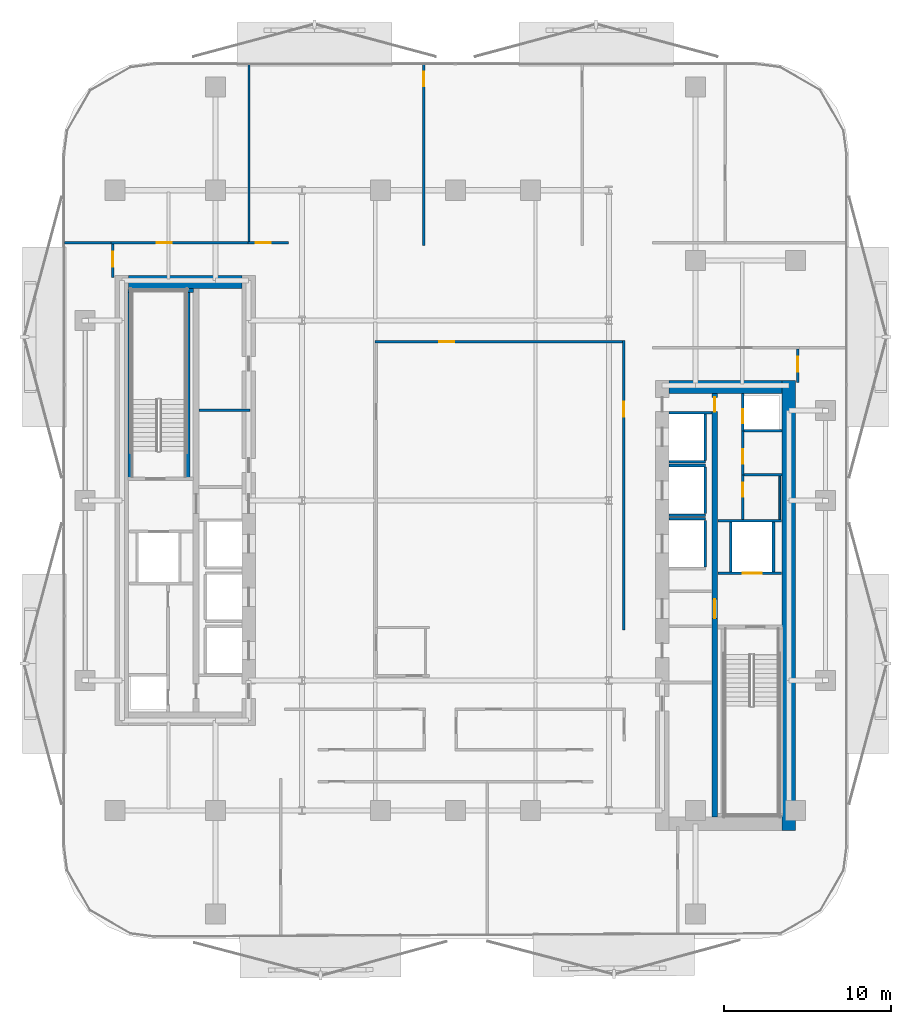
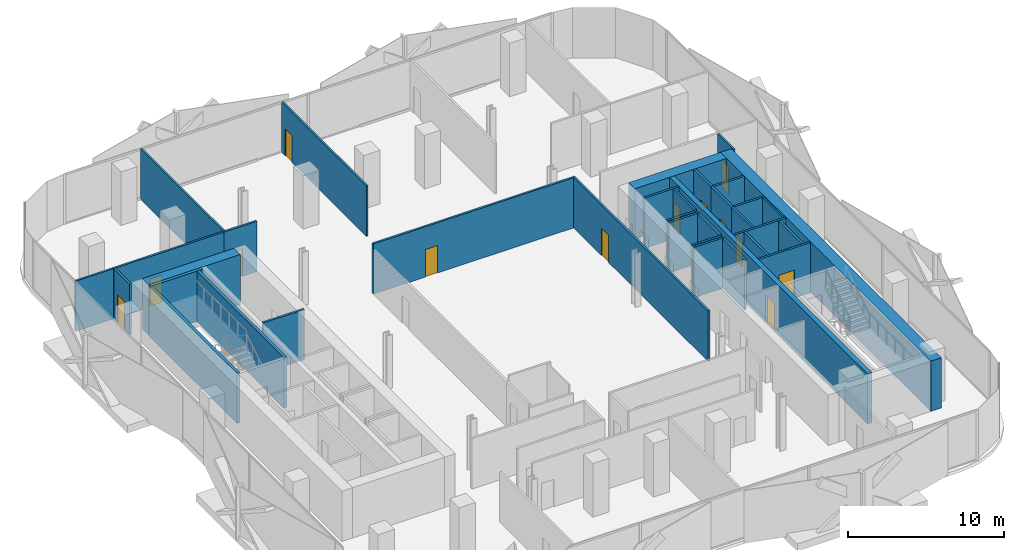
# One storey, part 5 of 15: 35 walls, 13 doors, 13 openings.
"""IFC4 building model written with IfcOpenShell, lengths in metres."""

from ifc_helpers import new_model, si_unit, direction, frame, frame_2d, origin, place, context, subcontext, project, spatial, rectangle, extrude, material, layer, layer_set, type_object, element, fill, save


model = new_model("IFC4")

# Units and contexts
model_context = context("Model", 3, precision=1e-05, world=origin(), true_north=direction((0.0, 1.0)))
body_context = subcontext(model_context, "Body", "Model", "MODEL_VIEW")
ifc_project = project(units=[si_unit("LENGTHUNIT", "METRE"), si_unit("AREAUNIT", "SQUARE_METRE"), si_unit("VOLUMEUNIT", "CUBIC_METRE"), si_unit("PLANEANGLEUNIT", "RADIAN"), si_unit("MASSUNIT", "GRAM", prefix="KILO")], contexts=[model_context])

# Site, building, storey
site_placement = place(None, origin())
site = spatial("IfcSite", under=ifc_project, at=site_placement, CompositionType="ELEMENT")
building_placement = place(site_placement, origin())
building = spatial("IfcBuilding", under=site, at=building_placement, Name="Khairoan Windgate Tower", CompositionType="ELEMENT")
storey_placement = place(building_placement, frame((0.0, 0.0, 122.60009765625)))
storey = spatial("IfcBuildingStorey", under=building, at=storey_placement, Name="L28", CompositionType="ELEMENT", Elevation=122.60009765625)

# Walls
ifc_material_1 = material(Name="Moisture-Resistant Gypsum Partition", Category="gypsum")
ifc_layer_1 = layer(ifc_material_1, 0.10009765625, Name="Moisture-Resistant Gypsum Partition")
ifc_layer_set_1 = layer_set([ifc_layer_1], Name="Moisture-Resistant Gypsum Partition")
wall_type_1 = type_object("IfcWallType", Name="Bathroom Wet-Area Partition Wall", PredefinedType="PARTITIONING", material=ifc_layer_set_1)
wall_1_placement = place(storey_placement, frame((19.449951171875, 1.449951171875, 0.0), z_axis=(0.0, 0.0, 1.0), x_axis=(0.0, -1.0, 0.0)))
element("IfcWall", 1, at=wall_1_placement, inside=storey, type_object=wall_type_1, Name="L28 Wet Room Side Wall 042", PredefinedType="PARTITIONING", context=body_context, shape_type="SweptSolid", body=[
    extrude(rectangle(XDim=2.58984375, YDim=0.10009765625, at=frame_2d((1.294921875, 0.0))), origin(), (0.0, 0.0, 1.0), 3.93994140625),
])
ifc_material_2 = material(Name="Concrete C40/50", Category="concrete")
ifc_layer_2 = layer(ifc_material_2, 0.159912109375, Name="Concrete C40/50")
ifc_layer_set_2 = layer_set([ifc_layer_2], Name="Concrete C40/50")
wall_type_2 = type_object("IfcWallType", Name="Core and Hoistway Enclosure Wall", PredefinedType="STANDARD", material=ifc_layer_set_2)
wall_2_placement = place(storey_placement, frame((12.800048828125, 2.31005859375, 0.0), z_axis=(0.0, 0.0, 1.0), x_axis=(1.0, 0.0, 0.0)))
element("IfcWall", 2, at=wall_2_placement, inside=storey, type_object=wall_type_2, Name="L28 Lift PL7 Hoistway Divider S", PredefinedType="STANDARD", context=body_context, shape_type="SweptSolid", body=[
    extrude(rectangle(XDim=2.18994140625, YDim=0.159912109375, at=frame_2d((1.094970703125, 0.0))), origin(), (0.0, 0.0, 1.0), 3.93994140625),
])
wall_3_placement = place(storey_placement, frame((14.989990234375, 2.39990234375, 0.0), z_axis=(0.0, 0.0, 1.0), x_axis=(0.0, 1.0, 0.0)))
element("IfcWall", 3, at=wall_3_placement, inside=storey, type_object=wall_type_2, Name="L28 Lift PL7 Hoistway Back Wall", PredefinedType="STANDARD", context=body_context, shape_type="SweptSolid", body=[
    extrude(rectangle(XDim=2.800048828125, YDim=0.159912109375, at=frame_2d((1.39990234375, 0.0))), origin(), (0.0, 0.0, 1.0), 3.93994140625),
])
for number, where, z_axis, x_axis, name in (
    (4, (12.800048828125, -0.889892578125, 0.0), (0.0, 0.0, 1.0), (1.0, 0.0, 0.0), "L28 Lift PL8 Hoistway Divider S"),
    (5, (12.800048828125, 2.090087890625, 0.0), (0.0, 0.0, 1.0), (1.0, 0.0, 0.0), "L28 Lift PL8 Hoistway Divider N"),
):
    element("IfcWall", number, at=place(storey_placement, frame(where, z_axis=z_axis, x_axis=x_axis)), inside=storey, type_object=wall_type_2, Name=name, PredefinedType="STANDARD", context=body_context, shape_type="SweptSolid", body=[
        extrude(rectangle(XDim=2.18994140625, YDim=0.159912109375, at=frame_2d((1.094970703125, 0.0))), origin(), (0.0, 0.0, 1.0), 3.93994140625),
    ])
wall_4_placement = place(storey_placement, frame((14.989990234375, -0.800048828125, 0.0), z_axis=(0.0, 0.0, 1.0), x_axis=(0.0, 1.0, 0.0)))
element("IfcWall", 6, at=wall_4_placement, inside=storey, type_object=wall_type_2, Name="L28 Lift PL8 Hoistway Back Wall", PredefinedType="STANDARD", context=body_context, shape_type="SweptSolid", body=[
    extrude(rectangle(XDim=2.800048828125, YDim=0.159912109375, at=frame_2d((1.39990234375, 0.0))), origin(), (0.0, 0.0, 1.0), 3.93994140625),
])
wall_5_placement = place(storey_placement, frame((12.800048828125, -1.110107421875, 0.0), z_axis=(0.0, 0.0, 1.0), x_axis=(1.0, 0.0, 0.0)))
element("IfcWall", 7, at=wall_5_placement, inside=storey, type_object=wall_type_2, Name="L28 Lift PL9 Hoistway Divider N", PredefinedType="STANDARD", context=body_context, shape_type="SweptSolid", body=[
    extrude(rectangle(XDim=2.18994140625, YDim=0.159912109375, at=frame_2d((1.094970703125, 0.0))), origin(), (0.0, 0.0, 1.0), 3.93994140625),
])
wall_6_placement = place(storey_placement, frame((14.989990234375, -4.0, 0.0), z_axis=(0.0, 0.0, 1.0), x_axis=(0.0, 1.0, 0.0)))
element("IfcWall", 8, at=wall_6_placement, inside=storey, type_object=wall_type_2, Name="L28 Lift PL9 Hoistway Back Wall", PredefinedType="STANDARD", context=body_context, shape_type="SweptSolid", body=[
    extrude(rectangle(XDim=2.800048828125, YDim=0.159912109375, at=frame_2d((1.39990234375, 0.0))), origin(), (0.0, 0.0, 1.0), 3.93994140625),
])

# Wall, opening, door
wall_7_placement = place(storey_placement, frame((15.75, -4.360107421875, 0.0), z_axis=(0.0, 0.0, 1.0), x_axis=(1.0, 0.0, 0.0)))
wall_7 = element("IfcWall", 9, at=wall_7_placement, inside=storey, type_object=wall_type_2, Name="L28 Core Shaft Wall SW-FL1-L28", PredefinedType="STANDARD", context=body_context, shape_type="SweptSolid", body=[
    extrude(rectangle(XDim=3.800048828125, YDim=0.159912109375, at=frame_2d((1.89990234375, 0.0))), origin(), (0.0, 0.0, 1.0), 3.93994140625),
])
opening_1_placement = place(wall_7_placement, frame((1.469970703125, 0.0, 0.0)))
opening_1 = element("IfcOpeningElement", 10, at=opening_1_placement, cuts=wall_7, Name="Opening LD-FL", PredefinedType="OPENING", context=body_context, shape_type="SweptSolid", body=[
    extrude(rectangle(XDim=1.14990234375, YDim=2.199951171875, at=frame_2d((0.574951171875, 1.10009765625))), frame((0.0, 0.08984375, 0.0), z_axis=(0.0, -1.0, 0.0), x_axis=(1.0, 0.0, 0.0)), (0.0, 0.0, 1.0), 0.179931640625),
])
ifc_material_3 = material(Name="Steel S355", Category="steel")
door_type_1 = type_object("IfcDoorType", Name="Firefighting Lift Sliding Landing Door LD-FL 1150x2200", OperationType="DOUBLE_DOOR_SLIDING", PredefinedType="DOOR", material=ifc_material_3)
door_1_placement = place(opening_1_placement, origin())
door_1 = element("IfcDoor", 11, at=door_1_placement, inside=storey, type_object=door_type_1, Name="L28 Firefighting Lift FL1 Landing Door", OperationType="DOUBLE_DOOR_SLIDING", OverallHeight=2.199951171875, OverallWidth=1.14990234375, PredefinedType="DOOR", context=body_context, shape_type="SweptSolid", body=[
    extrude(rectangle(XDim=1.14990234375, YDim=2.199951171875, at=frame_2d((0.574951171875, 1.10009765625))), frame((0.0, 0.02490234375, 0.0), z_axis=(0.0, -1.0, 0.0), x_axis=(1.0, 0.0, 0.0)), (0.0, 0.0, 1.0), 0.050048828125),
])
fill(opening_1, door_1)

# Walls
wall_8_placement = place(storey_placement, frame((15.75, -1.219970703125, 0.0), z_axis=(0.0, 0.0, 1.0), x_axis=(1.0, 0.0, 0.0)))
element("IfcWall", 12, at=wall_8_placement, inside=storey, type_object=wall_type_2, Name="L28 Core Shaft Wall SW-FL1T-L28", PredefinedType="STANDARD", context=body_context, shape_type="SweptSolid", body=[
    extrude(rectangle(XDim=3.800048828125, YDim=0.159912109375, at=frame_2d((1.89990234375, 0.0))), origin(), (0.0, 0.0, 1.0), 3.93994140625),
])
for number, where, z_axis, x_axis, name in (
    (13, (16.52001953125, -4.280029296875, 0.0), (0.0, 0.0, 1.0), (0.0, 1.0, 0.0), "L28 Core Shaft Wall SW-FL1W-L28"),
    (14, (19.080078125, -4.280029296875, 0.0), (0.0, 0.0, 1.0), (0.0, 1.0, 0.0), "L28 Core Shaft Wall SW-FL1E-L28"),
):
    element("IfcWall", number, at=place(storey_placement, frame(where, z_axis=z_axis, x_axis=x_axis)), inside=storey, type_object=wall_type_2, Name=name, PredefinedType="STANDARD", context=body_context, shape_type="SweptSolid", body=[
        extrude(rectangle(XDim=2.97998046875, YDim=0.159912109375, at=frame_2d((1.489990234375, 0.0))), origin(), (0.0, 0.0, 1.0), 3.93994140625),
    ])
wall_9_placement = place(storey_placement, frame((12.800048828125, 5.25, 0.0), z_axis=(0.0, 0.0, 1.0), x_axis=(1.0, 0.0, 0.0)))
element("IfcWall", 15, at=wall_9_placement, inside=storey, type_object=wall_type_2, Name="L28 Core Shaft Wall SW-ESV-L28", PredefinedType="STANDARD", context=body_context, shape_type="SweptSolid", body=[
    extrude(rectangle(XDim=2.599853515625, YDim=0.159912109375, at=frame_2d((1.2998046875, 0.0))), origin(), (0.0, 0.0, 1.0), 3.93994140625),
])
ifc_material_4 = material(Name="Acoustic Fire-Rated Gypsum Partition", Category="gypsum")
ifc_layer_3 = layer(ifc_material_4, 0.139892578125, Name="Acoustic Fire-Rated Gypsum Partition")
ifc_layer_set_3 = layer_set([ifc_layer_3], Name="Acoustic Fire-Rated Gypsum Partition")
wall_type_3 = type_object("IfcWallType", Name="Inter-Tenancy Compartment Wall", PredefinedType="PARTITIONING", material=ifc_layer_set_3)
wall_10_placement = place(storey_placement, frame((-23.455078125, 15.4599609375, 0.0), z_axis=(0.0, 0.0, 1.0), x_axis=(1.0, 0.0, 0.0)))
element("IfcWall", 16, at=wall_10_placement, inside=storey, type_object=wall_type_3, Name="L28 Interior Partition 030", PredefinedType="PARTITIONING", context=body_context, shape_type="SweptSolid", body=[
    extrude(rectangle(XDim=2.815185546875, YDim=0.139892578125, at=frame_2d((1.40771484375, 0.0))), origin(), (0.0, 0.0, 1.0), 3.93994140625),
])
wall_11_placement = place(storey_placement, frame((-12.3759765625, 15.534912109375, 0.0), z_axis=(0.0, 0.0, 1.0), x_axis=(0.0, 1.0, 0.0)))
element("IfcWall", 17, at=wall_11_placement, inside=storey, type_object=wall_type_3, Name="L28 Interior Partition 034", PredefinedType="PARTITIONING", context=body_context, shape_type="SweptSolid", body=[
    extrude(rectangle(XDim=10.6201171875, YDim=0.139892578125, at=frame_2d((5.31005859375, 0.0))), origin(), (0.0, 0.0, 1.0), 3.93994140625),
])

# Wall, opening, door
wall_12_placement = place(storey_placement, frame((-1.904052734375, 15.280029296875, 0.0), z_axis=(0.0, 0.0, 1.0), x_axis=(0.0, 1.0, 0.0)))
wall_12 = element("IfcWall", 18, at=wall_12_placement, inside=storey, type_object=wall_type_3, Name="L28 Interior Partition 035", PredefinedType="PARTITIONING", context=body_context, shape_type="SweptSolid", body=[
    extrude(rectangle(XDim=10.875, YDim=0.139892578125, at=frame_2d((5.4375, 0.0))), origin(), (0.0, 0.0, 1.0), 3.93994140625),
])
opening_2_placement = place(wall_12_placement, frame((9.56494140625, 0.0, 0.0)))
opening_2 = element("IfcOpeningElement", 19, at=opening_2_placement, cuts=wall_12, Name="Opening FD-SRV", PredefinedType="OPENING", context=body_context, shape_type="SweptSolid", body=[
    extrude(rectangle(XDim=0.85009765625, YDim=2.10009765625, at=frame_2d((0.425048828125, 1.050048828125))), frame((0.0, 0.079833984375, 0.0), z_axis=(0.0, -1.0, 0.0), x_axis=(1.0, 0.0, 0.0)), (0.0, 0.0, 1.0), 0.159912109375),
])
ifc_material_5 = material(Name="Steel S355", Category="steel")
door_type_2 = type_object("IfcDoorType", Name="Core Service and Riser Fire Door FD-SRV 850x2100", OperationType="NOTDEFINED", PredefinedType="DOOR", material=ifc_material_5)
door_2_placement = place(opening_2_placement, origin())
door_2 = element("IfcDoor", 20, at=door_2_placement, inside=storey, type_object=door_type_2, Name="L28 L28-41-L28-42 Door", OperationType="SINGLE_SWING_LEFT", OverallHeight=2.10009765625, OverallWidth=0.85009765625, PredefinedType="DOOR", context=body_context, shape_type="SweptSolid", body=[
    extrude(rectangle(XDim=0.85009765625, YDim=2.10009765625, at=frame_2d((0.425048828125, 1.050048828125))), frame((0.0, 0.02490234375, 0.0), z_axis=(0.0, -1.0, 0.0), x_axis=(1.0, 0.0, 0.0)), (0.0, 0.0, 1.0), 0.050048828125),
])
fill(opening_2, door_2)

# Wall
ifc_material_6 = material(Name="Concrete C40/50", Category="concrete")
ifc_layer_4 = layer(ifc_material_6, 0.159912109375, Name="Concrete C40/50")
ifc_layer_set_4 = layer_set([ifc_layer_4], Name="Concrete C40/50")
wall_type_4 = type_object("IfcWallType", Name="Plant and Refuge Compartment Wall", PredefinedType="PARTITIONING", material=ifc_layer_set_4)
wall_13_placement = place(storey_placement, frame((-15.375, 5.39990234375, 0.0), z_axis=(0.0, 0.0, 1.0), x_axis=(1.0, 0.0, 0.0)))
element("IfcWall", 21, at=wall_13_placement, inside=storey, type_object=wall_type_4, Name="L28 Interior Partition 004", PredefinedType="PARTITIONING", context=body_context, shape_type="SweptSolid", body=[
    extrude(rectangle(XDim=3.06494140625, YDim=0.159912109375, at=frame_2d((1.532470703125, 0.0))), origin(), (0.0, 0.0, 1.0), 3.93994140625),
])

# Wall, opening, door
wall_14_placement = place(storey_placement, frame((17.22998046875, 4.169921875, 0.0), z_axis=(0.0, 0.0, 1.0), x_axis=(0.0, 1.0, 0.0)))
wall_14 = element("IfcWall", 22, at=wall_14_placement, inside=storey, type_object=wall_type_4, Name="L28 Interior Partition 005", PredefinedType="PARTITIONING", context=body_context, shape_type="SweptSolid", body=[
    extrude(rectangle(XDim=2.22998046875, YDim=0.159912109375, at=frame_2d((1.114990234375, 0.0))), origin(), (0.0, 0.0, 1.0), 3.93994140625),
])
opening_3_placement = place(wall_14_placement, frame((0.4599609375, 0.0, 0.0)))
opening_3 = element("IfcOpeningElement", 23, at=opening_3_placement, cuts=wall_14, Name="Opening FD-SRV", PredefinedType="OPENING", context=body_context, shape_type="SweptSolid", body=[
    extrude(rectangle(XDim=0.85009765625, YDim=2.10009765625, at=frame_2d((0.425048828125, 1.050048828125))), frame((0.0, 0.08984375, 0.0), z_axis=(0.0, -1.0, 0.0), x_axis=(1.0, 0.0, 0.0)), (0.0, 0.0, 1.0), 0.179931640625),
])
door_3_placement = place(opening_3_placement, origin())
door_3 = element("IfcDoor", 24, at=door_3_placement, inside=storey, type_object=door_type_2, Name="L28 L28-17-L28-18 Door", OperationType="SINGLE_SWING_LEFT", OverallHeight=2.10009765625, OverallWidth=0.85009765625, PredefinedType="DOOR", context=body_context, shape_type="SweptSolid", body=[
    extrude(rectangle(XDim=0.85009765625, YDim=2.10009765625, at=frame_2d((0.425048828125, 1.050048828125))), frame((0.0, 0.02490234375, 0.0), z_axis=(0.0, -1.0, 0.0), x_axis=(1.0, 0.0, 0.0)), (0.0, 0.0, 1.0), 0.050048828125),
])
fill(opening_3, door_3)

wall_15_placement = place(storey_placement, frame((17.22998046875, -1.139892578125, 0.0), z_axis=(0.0, 0.0, 1.0), x_axis=(0.0, 1.0, 0.0)))
wall_15 = element("IfcWall", 25, at=wall_15_placement, inside=storey, type_object=wall_type_4, Name="L28 Interior Partition 006", PredefinedType="PARTITIONING", context=body_context, shape_type="SweptSolid", body=[
    extrude(rectangle(XDim=2.669921875, YDim=0.159912109375, at=frame_2d((1.3349609375, 0.0))), origin(), (0.0, 0.0, 1.0), 3.93994140625),
])
opening_4_placement = place(wall_15_placement, frame((1.360107421875, 0.0, 0.0)))
opening_4 = element("IfcOpeningElement", 26, at=opening_4_placement, cuts=wall_15, Name="Opening FD-SRV", PredefinedType="OPENING", context=body_context, shape_type="SweptSolid", body=[
    extrude(rectangle(XDim=0.85009765625, YDim=2.10009765625, at=frame_2d((0.425048828125, 1.050048828125))), frame((0.0, 0.08984375, 0.0), z_axis=(0.0, -1.0, 0.0), x_axis=(1.0, 0.0, 0.0)), (0.0, 0.0, 1.0), 0.179931640625),
])
door_4_placement = place(opening_4_placement, origin())
door_4 = element("IfcDoor", 27, at=door_4_placement, inside=storey, type_object=door_type_2, Name="L28 L28-17-L28-19 Door", OperationType="SINGLE_SWING_RIGHT", OverallHeight=2.10009765625, OverallWidth=0.85009765625, PredefinedType="DOOR", context=body_context, shape_type="SweptSolid", body=[
    extrude(rectangle(XDim=0.85009765625, YDim=2.10009765625, at=frame_2d((0.425048828125, 1.050048828125))), frame((0.0, 0.02490234375, 0.0), z_axis=(0.0, -1.0, 0.0), x_axis=(1.0, 0.0, 0.0)), (0.0, 0.0, 1.0), 0.050048828125),
])
fill(opening_4, door_4)

wall_16_placement = place(storey_placement, frame((17.22998046875, 1.530029296875, 0.0), z_axis=(0.0, 0.0, 1.0), x_axis=(0.0, 1.0, 0.0)))
wall_16 = element("IfcWall", 28, at=wall_16_placement, inside=storey, type_object=wall_type_4, Name="L28 Interior Partition 007", PredefinedType="PARTITIONING", context=body_context, shape_type="SweptSolid", body=[
    extrude(rectangle(XDim=2.639892578125, YDim=0.159912109375, at=frame_2d((1.31982421875, 0.0))), origin(), (0.0, 0.0, 1.0), 3.93994140625),
])
opening_5_placement = place(wall_16_placement, frame((0.677490234375, 0.0, 0.0)))
opening_5 = element("IfcOpeningElement", 29, at=opening_5_placement, cuts=wall_16, Name="Opening FD-SRV", PredefinedType="OPENING", context=body_context, shape_type="SweptSolid", body=[
    extrude(rectangle(XDim=0.85009765625, YDim=2.10009765625, at=frame_2d((0.425048828125, 1.050048828125))), frame((0.0, 0.08984375, 0.0), z_axis=(0.0, -1.0, 0.0), x_axis=(1.0, 0.0, 0.0)), (0.0, 0.0, 1.0), 0.179931640625),
])
door_5_placement = place(opening_5_placement, origin())
door_5 = element("IfcDoor", 30, at=door_5_placement, inside=storey, type_object=door_type_2, Name="L28 L28-17-L28-20 Door", OperationType="SINGLE_SWING_LEFT", OverallHeight=2.10009765625, OverallWidth=0.85009765625, PredefinedType="DOOR", context=body_context, shape_type="SweptSolid", body=[
    extrude(rectangle(XDim=0.85009765625, YDim=2.10009765625, at=frame_2d((0.425048828125, 1.050048828125))), frame((0.0, 0.02490234375, 0.0), z_axis=(0.0, -1.0, 0.0), x_axis=(1.0, 0.0, 0.0)), (0.0, 0.0, 1.0), 0.050048828125),
])
fill(opening_5, door_5)

# Walls
for number, where, z_axis, x_axis, name in (
    (31, (17.31005859375, 4.169921875, 0.0), (0.0, 0.0, 1.0), (1.0, 0.0, 0.0), "L28 Interior Partition 008"),
    (32, (17.31005859375, 1.530029296875, 0.0), (0.0, 0.0, 1.0), (1.0, 0.0, 0.0), "L28 Interior Partition 009"),
):
    element("IfcWall", number, at=place(storey_placement, frame(where, z_axis=z_axis, x_axis=x_axis)), inside=storey, type_object=wall_type_4, Name=name, PredefinedType="PARTITIONING", context=body_context, shape_type="SweptSolid", body=[
        extrude(rectangle(XDim=2.2900390625, YDim=0.159912109375, at=frame_2d((1.14501953125, 0.0))), origin(), (0.0, 0.0, 1.0), 3.93994140625),
    ])

# Wall, opening, door
ifc_material_7 = material(Name="Acoustic Fire-Rated Gypsum Partition", Category="gypsum")
ifc_layer_5 = layer(ifc_material_7, 0.14990234375, Name="Acoustic Fire-Rated Gypsum Partition")
ifc_layer_set_5 = layer_set([ifc_layer_5], Name="Acoustic Fire-Rated Gypsum Partition")
wall_type_5 = type_object("IfcWallType", Name="Rated Corridor Partition Wall", PredefinedType="PARTITIONING", material=ifc_layer_set_5)
wall_17_placement = place(storey_placement, frame((-12.446044921875, 15.4599609375, 0.0), z_axis=(0.0, 0.0, 1.0), x_axis=(1.0, 0.0, 0.0)))
wall_17 = element("IfcWall", 33, at=wall_17_placement, inside=storey, type_object=wall_type_5, Name="L28 Interior Partition 011", PredefinedType="PARTITIONING", context=body_context, shape_type="SweptSolid", body=[
    extrude(rectangle(XDim=2.43603515625, YDim=0.14990234375, at=frame_2d((1.218017578125, 0.0))), origin(), (0.0, 0.0, 1.0), 3.93994140625),
])
opening_6_placement = place(wall_17_placement, frame((0.4599609375, 0.0, 0.0)))
opening_6 = element("IfcOpeningElement", 34, at=opening_6_placement, cuts=wall_17, Name="Opening FD-ENT", PredefinedType="OPENING", context=body_context, shape_type="SweptSolid", body=[
    extrude(rectangle(XDim=0.89990234375, YDim=2.14990234375, at=frame_2d((0.449951171875, 1.074951171875))), frame((0.0, 0.0849609375, 0.0), z_axis=(0.0, -1.0, 0.0), x_axis=(1.0, 0.0, 0.0)), (0.0, 0.0, 1.0), 0.169921875),
])
ifc_material_8 = material(Name="Timber Fire-Rated Core", Category="wood")
door_type_3 = type_object("IfcDoorType", Name="Unit and Office Fire Entrance Door FD-ENT 900x2150", OperationType="NOTDEFINED", PredefinedType="DOOR", material=ifc_material_8)
door_6_placement = place(opening_6_placement, origin())
door_6 = element("IfcDoor", 35, at=door_6_placement, inside=storey, type_object=door_type_3, Name="L28 L28-28-L28-41 Door", OperationType="SINGLE_SWING_RIGHT", OverallHeight=2.14990234375, OverallWidth=0.89990234375, PredefinedType="DOOR", context=body_context, shape_type="SweptSolid", body=[
    extrude(rectangle(XDim=0.89990234375, YDim=2.14990234375, at=frame_2d((0.449951171875, 1.074951171875))), frame((0.0, 0.02490234375, 0.0), z_axis=(0.0, -1.0, 0.0), x_axis=(1.0, 0.0, 0.0)), (0.0, 0.0, 1.0), 0.050048828125),
])
fill(opening_6, door_6)

wall_18_placement = place(storey_placement, frame((10.10009765625, -7.780029296875, 0.0), z_axis=(0.0, 0.0, 1.0), x_axis=(0.0, 1.0, 0.0)))
wall_18 = element("IfcWall", 36, at=wall_18_placement, inside=storey, type_object=wall_type_5, Name="L28 Interior Partition 012", PredefinedType="PARTITIONING", context=body_context, shape_type="SweptSolid", body=[
    extrude(rectangle(XDim=17.375, YDim=0.14990234375, at=frame_2d((8.6875, 0.0))), origin(), (0.0, 0.0, 1.0), 3.93994140625),
])
opening_7_placement = place(wall_18_placement, frame((12.78271484375, 0.0, 0.0)))
opening_7 = element("IfcOpeningElement", 37, at=opening_7_placement, cuts=wall_18, Name="Opening FD-ENT", PredefinedType="OPENING", context=body_context, shape_type="SweptSolid", body=[
    extrude(rectangle(XDim=0.89990234375, YDim=2.14990234375, at=frame_2d((0.449951171875, 1.074951171875))), frame((0.0, 0.0849609375, 0.0), z_axis=(0.0, -1.0, 0.0), x_axis=(1.0, 0.0, 0.0)), (0.0, 0.0, 1.0), 0.169921875),
])
door_7_placement = place(opening_7_placement, origin())
door_7 = element("IfcDoor", 38, at=door_7_placement, inside=storey, type_object=door_type_3, Name="L28 L28-29-L28-50 Door", OperationType="SINGLE_SWING_LEFT", OverallHeight=2.14990234375, OverallWidth=0.89990234375, PredefinedType="DOOR", context=body_context, shape_type="SweptSolid", body=[
    extrude(rectangle(XDim=0.89990234375, YDim=2.14990234375, at=frame_2d((0.449951171875, 1.074951171875))), frame((0.0, 0.02490234375, 0.0), z_axis=(0.0, -1.0, 0.0), x_axis=(1.0, 0.0, 0.0)), (0.0, 0.0, 1.0), 0.050048828125),
])
fill(opening_7, door_7)

wall_19_placement = place(storey_placement, frame((-4.820068359375, 9.52001953125, 0.0), z_axis=(0.0, 0.0, 1.0), x_axis=(1.0, 0.0, 0.0)))
wall_19 = element("IfcWall", 39, at=wall_19_placement, inside=storey, type_object=wall_type_5, Name="L28 Interior Partition 014", PredefinedType="PARTITIONING", context=body_context, shape_type="SweptSolid", body=[
    extrude(rectangle(XDim=14.844970703125, YDim=0.14990234375, at=frame_2d((7.42236328125, 0.0))), origin(), (0.0, 0.0, 1.0), 3.93994140625),
])
opening_8_placement = place(wall_19_placement, frame((3.866455078125, 0.0, 0.0)))
opening_8 = element("IfcOpeningElement", 40, at=opening_8_placement, cuts=wall_19, Name="Opening FD-ENT", PredefinedType="OPENING", context=body_context, shape_type="SweptSolid", body=[
    extrude(rectangle(XDim=0.89990234375, YDim=2.14990234375, at=frame_2d((0.449951171875, 1.074951171875))), frame((0.0, 0.0849609375, 0.0), z_axis=(0.0, -1.0, 0.0), x_axis=(1.0, 0.0, 0.0)), (0.0, 0.0, 1.0), 0.169921875),
])
door_8_placement = place(opening_8_placement, origin())
door_8 = element("IfcDoor", 41, at=door_8_placement, inside=storey, type_object=door_type_3, Name="L28 L28-30-L28-50 Door", OperationType="SINGLE_SWING_LEFT", OverallHeight=2.14990234375, OverallWidth=0.89990234375, PredefinedType="DOOR", context=body_context, shape_type="SweptSolid", body=[
    extrude(rectangle(XDim=0.89990234375, YDim=2.14990234375, at=frame_2d((0.449951171875, 1.074951171875))), frame((0.0, 0.02490234375, 0.0), z_axis=(0.0, -1.0, 0.0), x_axis=(1.0, 0.0, 0.0)), (0.0, 0.0, 1.0), 0.050048828125),
])
fill(opening_8, door_8)

wall_20_placement = place(storey_placement, frame((-20.5400390625, 13.360107421875, 0.0), z_axis=(0.0, 0.0, 1.0), x_axis=(0.0, 1.0, 0.0)))
wall_20 = element("IfcWall", 42, at=wall_20_placement, inside=storey, type_object=wall_type_5, Name="L28 Interior Partition 020", PredefinedType="PARTITIONING", context=body_context, shape_type="SweptSolid", body=[
    extrude(rectangle(XDim=2.02490234375, YDim=0.14990234375, at=frame_2d((1.012451171875, 0.0))), origin(), (0.0, 0.0, 1.0), 3.93994140625),
])
opening_9_placement = place(wall_20_placement, frame((0.6650390625, 0.0, 0.0)))
opening_9 = element("IfcOpeningElement", 43, at=opening_9_placement, cuts=wall_20, Name="Opening FD-ENT", PredefinedType="OPENING", context=body_context, shape_type="SweptSolid", body=[
    extrude(rectangle(XDim=0.89990234375, YDim=2.14990234375, at=frame_2d((0.449951171875, 1.074951171875))), frame((0.0, 0.0849609375, 0.0), z_axis=(0.0, -1.0, 0.0), x_axis=(1.0, 0.0, 0.0)), (0.0, 0.0, 1.0), 0.169921875),
])
door_9_placement = place(opening_9_placement, origin())
door_9 = element("IfcDoor", 44, at=door_9_placement, inside=storey, type_object=door_type_3, Name="L28 L28-33-L28-37 Door", OperationType="SINGLE_SWING_LEFT", OverallHeight=2.14990234375, OverallWidth=0.89990234375, PredefinedType="DOOR", context=body_context, shape_type="SweptSolid", body=[
    extrude(rectangle(XDim=0.89990234375, YDim=2.14990234375, at=frame_2d((0.449951171875, 1.074951171875))), frame((0.0, 0.02490234375, 0.0), z_axis=(0.0, -1.0, 0.0), x_axis=(1.0, 0.0, 0.0)), (0.0, 0.0, 1.0), 0.050048828125),
])
fill(opening_9, door_9)

wall_21_placement = place(storey_placement, frame((-20.639892578125, 15.4599609375, 0.0), z_axis=(0.0, 0.0, 1.0), x_axis=(1.0, 0.0, 0.0)))
wall_21 = element("IfcWall", 45, at=wall_21_placement, inside=storey, type_object=wall_type_5, Name="L28 Interior Partition 021", PredefinedType="PARTITIONING", context=body_context, shape_type="SweptSolid", body=[
    extrude(rectangle(XDim=8.19384765625, YDim=0.14990234375, at=frame_2d((4.096923828125, 0.0))), origin(), (0.0, 0.0, 1.0), 3.93994140625),
])
opening_10_placement = place(wall_21_placement, frame((2.7216796875, 0.0, 0.0)))
opening_10 = element("IfcOpeningElement", 46, at=opening_10_placement, cuts=wall_21, Name="Opening FD-ENT", PredefinedType="OPENING", context=body_context, shape_type="SweptSolid", body=[
    extrude(rectangle(XDim=0.89990234375, YDim=2.14990234375, at=frame_2d((0.449951171875, 1.074951171875))), frame((0.0, 0.0849609375, 0.0), z_axis=(0.0, -1.0, 0.0), x_axis=(1.0, 0.0, 0.0)), (0.0, 0.0, 1.0), 0.169921875),
])
door_10_placement = place(opening_10_placement, origin())
door_10 = element("IfcDoor", 47, at=door_10_placement, inside=storey, type_object=door_type_3, Name="L28 L28-33-L28-40 Door", OperationType="SINGLE_SWING_RIGHT", OverallHeight=2.14990234375, OverallWidth=0.89990234375, PredefinedType="DOOR", context=body_context, shape_type="SweptSolid", body=[
    extrude(rectangle(XDim=0.89990234375, YDim=2.14990234375, at=frame_2d((0.449951171875, 1.074951171875))), frame((0.0, 0.02490234375, 0.0), z_axis=(0.0, -1.0, 0.0), x_axis=(1.0, 0.0, 0.0)), (0.0, 0.0, 1.0), 0.050048828125),
])
fill(opening_10, door_10)

wall_22_placement = place(storey_placement, frame((20.5400390625, 7.06005859375, 0.0), z_axis=(0.0, 0.0, 1.0), x_axis=(0.0, 1.0, 0.0)))
wall_22 = element("IfcWall", 48, at=wall_22_placement, inside=storey, type_object=wall_type_5, Name="L28 Interior Partition 022", PredefinedType="PARTITIONING", context=body_context, shape_type="SweptSolid", body=[
    extrude(rectangle(XDim=2.02490234375, YDim=0.14990234375, at=frame_2d((1.012451171875, 0.0))), origin(), (0.0, 0.0, 1.0), 3.93994140625),
])
opening_11_placement = place(wall_22_placement, frame((0.6650390625, 0.0, 0.0)))
opening_11 = element("IfcOpeningElement", 49, at=opening_11_placement, cuts=wall_22, Name="Opening FD-ENT", PredefinedType="OPENING", context=body_context, shape_type="SweptSolid", body=[
    extrude(rectangle(XDim=0.89990234375, YDim=2.14990234375, at=frame_2d((0.449951171875, 1.074951171875))), frame((0.0, 0.0849609375, 0.0), z_axis=(0.0, -1.0, 0.0), x_axis=(1.0, 0.0, 0.0)), (0.0, 0.0, 1.0), 0.169921875),
])
door_11_placement = place(opening_11_placement, origin())
door_11 = element("IfcDoor", 50, at=door_11_placement, inside=storey, type_object=door_type_3, Name="L28 L28-34-L28-38 Door", OperationType="SINGLE_SWING_LEFT", OverallHeight=2.14990234375, OverallWidth=0.89990234375, PredefinedType="DOOR", context=body_context, shape_type="SweptSolid", body=[
    extrude(rectangle(XDim=0.89990234375, YDim=2.14990234375, at=frame_2d((0.449951171875, 1.074951171875))), frame((0.0, 0.02490234375, 0.0), z_axis=(0.0, -1.0, 0.0), x_axis=(1.0, 0.0, 0.0)), (0.0, 0.0, 1.0), 0.050048828125),
])
fill(opening_11, door_11)

# Walls
ifc_material_9 = material(Name="Concrete C70/85", Category="concrete")
ifc_layer_6 = layer(ifc_material_9, 0.800048828125, Name="Concrete C70/85")
ifc_layer_set_6 = layer_set([ifc_layer_6], Name="Concrete C70/85")
wall_type_6 = type_object("IfcWallType", Name="Shear Wall CW-E1 800mm", PredefinedType="SHEAR", material=ifc_layer_set_6)
wall_23_placement = place(storey_placement, frame((20.0, -19.800048828125, 0.0), z_axis=(0.0, 0.0, 1.0), x_axis=(0.0, 1.0, 0.0)))
element("IfcWall", 51, at=wall_23_placement, inside=storey, type_object=wall_type_6, Name="E Core East Shear Wall L28", PredefinedType="SHEAR", context=body_context, shape_type="SweptSolid", body=[
    extrude(rectangle(XDim=27.0, YDim=0.800048828125, at=frame_2d((13.5, 0.0))), origin(), (0.0, 0.0, 1.0), 3.93994140625),
])
wall_24_placement = place(storey_placement, frame((12.800048828125, 6.800048828125, 0.0), z_axis=(0.0, 0.0, 1.0), x_axis=(1.0, 0.0, 0.0)))
element("IfcWall", 52, at=wall_24_placement, inside=storey, type_object=wall_type_6, Name="E Core North Shear Wall L28", PredefinedType="SHEAR", context=body_context, shape_type="SweptSolid", body=[
    extrude(rectangle(XDim=6.800048828125, YDim=0.800048828125, at=frame_2d((3.39990234375, 0.0))), origin(), (0.0, 0.0, 1.0), 3.93994140625),
])
ifc_material_10 = material(Name="Concrete C70/85", Category="concrete")
ifc_layer_7 = layer(ifc_material_10, 0.800048828125, Name="Concrete C70/85")
ifc_layer_set_7 = layer_set([ifc_layer_7], Name="Concrete C70/85")
wall_type_7 = type_object("IfcWallType", Name="Shear Wall CW-W1 800mm", PredefinedType="SHEAR", material=ifc_layer_set_7)
wall_25_placement = place(storey_placement, frame((-19.60009765625, 13.10009765625, 0.0), z_axis=(0.0, 0.0, 1.0), x_axis=(1.0, 0.0, 0.0)))
element("IfcWall", 53, at=wall_25_placement, inside=storey, type_object=wall_type_7, Name="W Core North Shear Wall L28", PredefinedType="SHEAR", context=body_context, shape_type="SweptSolid", body=[
    extrude(rectangle(XDim=6.800048828125, YDim=0.800048828125, at=frame_2d((3.39990234375, 0.0))), origin(), (0.0, 0.0, 1.0), 3.93994140625),
])

# Wall, openings, doors
ifc_material_11 = material(Name="Concrete C60/75", Category="concrete")
ifc_layer_8 = layer(ifc_material_11, 0.35009765625, Name="Concrete C60/75")
ifc_layer_set_8 = layer_set([ifc_layer_8], Name="Concrete C60/75")
wall_type_8 = type_object("IfcWallType", Name="Shear Wall SW-1 350mm", PredefinedType="SHEAR", material=ifc_layer_set_8)
wall_26_placement = place(storey_placement, frame((15.550048828125, -19.0, 0.0), z_axis=(0.0, 0.0, 1.0), x_axis=(0.0, 1.0, 0.0)))
wall_26 = element("IfcWall", 54, at=wall_26_placement, inside=storey, type_object=wall_type_8, Name="E Core Spine Shear Wall L28", PredefinedType="SHEAR", context=body_context, shape_type="SweptSolid", body=[
    extrude(rectangle(XDim=25.39990234375, YDim=0.35009765625, at=frame_2d((12.699951171875, 0.0))), origin(), (0.0, 0.0, 1.0), 3.93994140625),
])
opening_12_placement = place(wall_26_placement, frame((11.925048828125, 0.0, 0.0)))
opening_12 = element("IfcOpeningElement", 55, at=opening_12_placement, cuts=wall_26, Name="Opening FD-FFL", PredefinedType="OPENING", context=body_context, shape_type="SweptSolid", body=[
    extrude(rectangle(XDim=1.14990234375, YDim=2.199951171875, at=frame_2d((0.574951171875, 1.10009765625))), frame((0.0, 0.18505859375, 0.0), z_axis=(0.0, -1.0, 0.0), x_axis=(1.0, 0.0, 0.0)), (0.0, 0.0, 1.0), 0.3701171875),
])
opening_13_placement = place(wall_26_placement, frame((24.324951171875, 0.0, 0.0)))
opening_13 = element("IfcOpeningElement", 56, at=opening_13_placement, cuts=wall_26, Name="Opening FD-SRV", PredefinedType="OPENING", context=body_context, shape_type="SweptSolid", body=[
    extrude(rectangle(XDim=0.85009765625, YDim=2.10009765625, at=frame_2d((0.425048828125, 1.050048828125))), frame((0.0, 0.18505859375, 0.0), z_axis=(0.0, -1.0, 0.0), x_axis=(1.0, 0.0, 0.0)), (0.0, 0.0, 1.0), 0.3701171875),
])
door_12_placement = place(opening_13_placement, origin())
door_12 = element("IfcDoor", 57, at=door_12_placement, inside=storey, type_object=door_type_2, Name="L28 East Core Service Passage Inner Door", OperationType="SINGLE_SWING_RIGHT", OverallHeight=2.10009765625, OverallWidth=0.85009765625, PredefinedType="DOOR", context=body_context, shape_type="SweptSolid", body=[
    extrude(rectangle(XDim=0.85009765625, YDim=2.10009765625, at=frame_2d((0.425048828125, 1.050048828125))), frame((0.0, 0.02490234375, 0.0), z_axis=(0.0, -1.0, 0.0), x_axis=(1.0, 0.0, 0.0)), (0.0, 0.0, 1.0), 0.050048828125),
])
fill(opening_13, door_12)
ifc_material_12 = material(Name="Steel S355", Category="steel")
door_type_4 = type_object("IfcDoorType", Name="Firefighting Lobby Fire Door FD-FFL 1150x2200", OperationType="NOTDEFINED", PredefinedType="DOOR", material=ifc_material_12)
door_13_placement = place(opening_12_placement, origin())
door_13 = element("IfcDoor", 58, at=door_13_placement, inside=storey, type_object=door_type_4, Name="L28 East Firefighting Lobby Fire Door", OperationType="SINGLE_SWING_RIGHT", OverallHeight=2.199951171875, OverallWidth=1.14990234375, PredefinedType="DOOR", context=body_context, shape_type="SweptSolid", body=[
    extrude(rectangle(XDim=1.14990234375, YDim=2.199951171875, at=frame_2d((0.574951171875, 1.10009765625))), frame((0.0, 0.02490234375, 0.0), z_axis=(0.0, -1.0, 0.0), x_axis=(1.0, 0.0, 0.0)), (0.0, 0.0, 1.0), 0.050048828125),
])
fill(opening_12, door_13)

# Walls
ifc_material_13 = material(Name="Concrete C50/60", Category="concrete")
ifc_layer_9 = layer(ifc_material_13, 0.219970703125, Name="Concrete C50/60")
ifc_layer_set_9 = layer_set([ifc_layer_9], Name="Concrete C50/60")
wall_type_9 = type_object("IfcWallType", Name="Shear Wall SW-ST 220mm", PredefinedType="SHEAR", material=ifc_layer_set_9)
for number, where, z_axis, x_axis, name in (
    (59, (-16.0400390625, 1.2900390625, 0.0), (0.0, 0.0, 1.0), (0.0, 1.0, 0.0), "L28 Stair ST2 East Bearing Wall"),
    (60, (-19.530029296875, 1.2900390625, 0.0), (0.0, 0.0, 1.0), (0.0, 1.0, 0.0), "L28 Stair ST2 West Bearing Wall"),
):
    element("IfcWall", number, at=place(storey_placement, frame(where, z_axis=z_axis, x_axis=x_axis)), inside=storey, type_object=wall_type_9, Name=name, PredefinedType="SHEAR", context=body_context, shape_type="SweptSolid", body=[
        extrude(rectangle(XDim=11.300048828125, YDim=0.219970703125, at=frame_2d((5.64990234375, 0.0))), origin(), (0.0, 0.0, 1.0), 3.93994140625),
    ])
wall_27_placement = place(storey_placement, frame((-19.6201171875, 12.590087890625, 0.0), z_axis=(0.0, 0.0, 1.0), x_axis=(1.0, 0.0, 0.0)))
element("IfcWall", 61, at=wall_27_placement, inside=storey, type_object=wall_type_9, Name="L28 Stair ST2 North Bearing Wall", PredefinedType="SHEAR", context=body_context, shape_type="SweptSolid", body=[
    extrude(rectangle(XDim=3.9150390625, YDim=0.219970703125, at=frame_2d((1.95751953125, 0.0))), origin(), (0.0, 0.0, 1.0), 3.93994140625),
])

save(model, "model.ifc")
